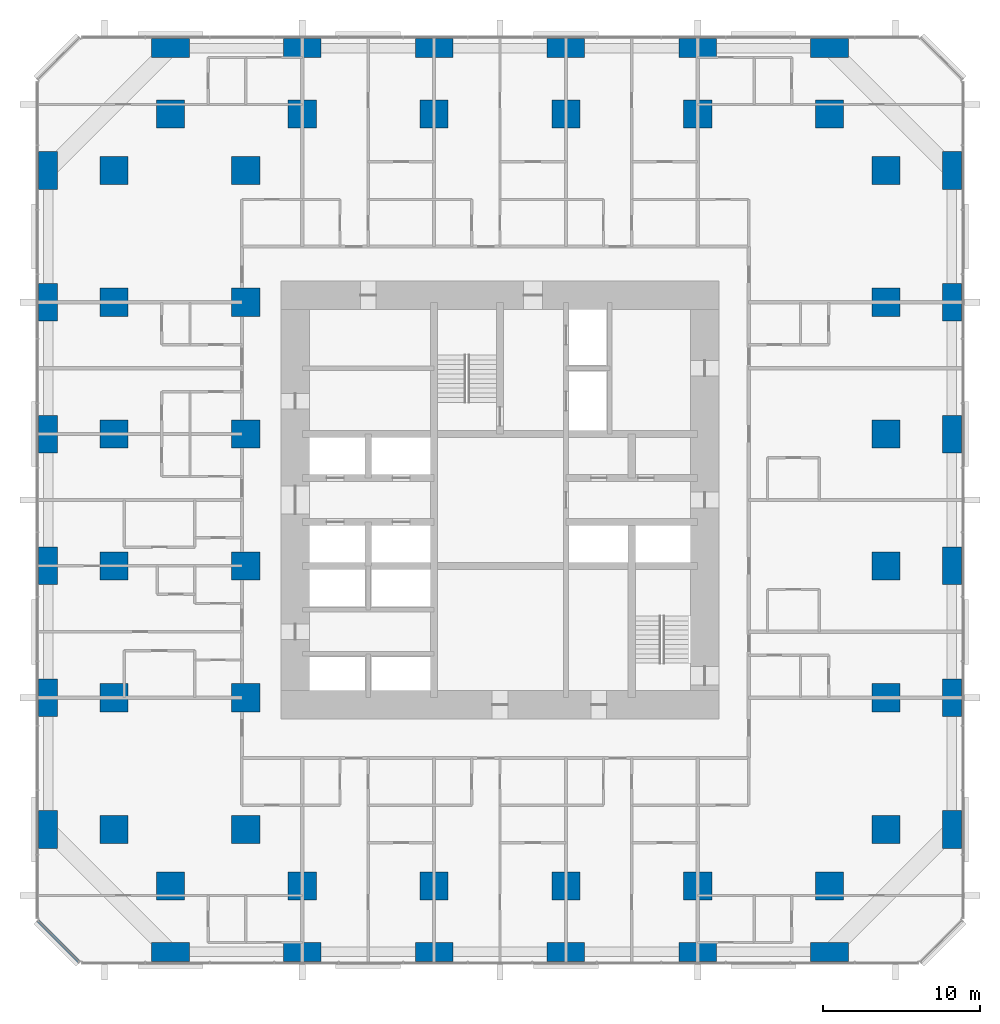
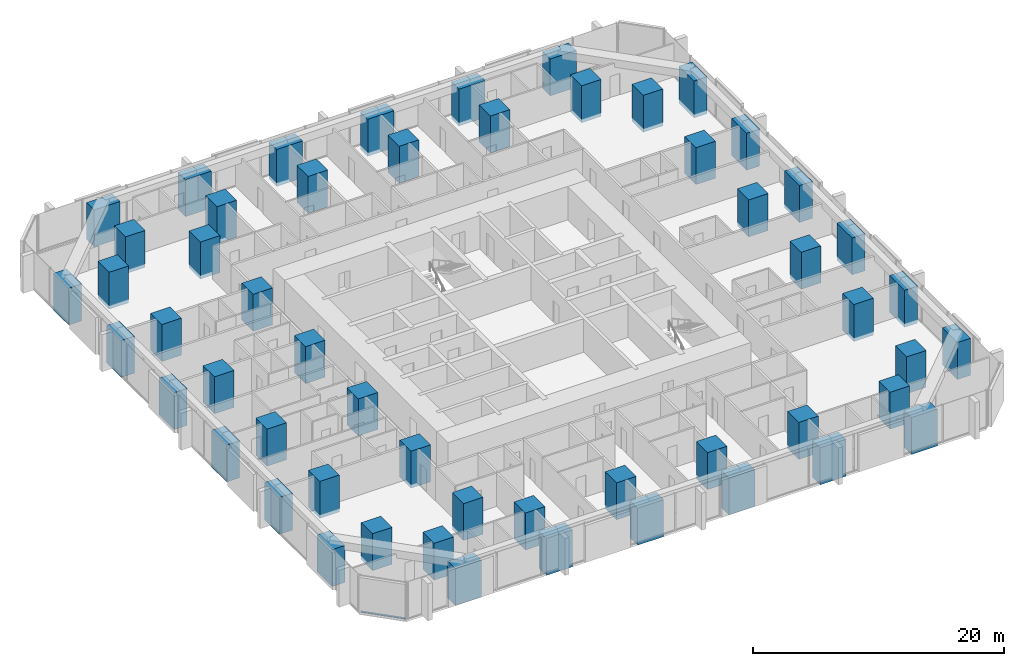
# One storey, part 1 of 17: 54 columns, 1 member, 1 element without a shape of its own.
"""IFC4 building model written with IfcOpenShell, lengths in metres."""

from ifc_helpers import new_model, si_unit, direction, frame, origin, origin_2d, place, context, subcontext, project, spatial, rectangle, extrude, material, material_profile, profile_set, type_object, element, aggregate, save


model = new_model("IFC4")

# Units and contexts
model_context = context("Model", 3, precision=1e-05, world=origin(), true_north=direction((0.0, 1.0)))
body_context = subcontext(model_context, "Body", "Model", "MODEL_VIEW")
ifc_project = project(units=[si_unit("LENGTHUNIT", "METRE"), si_unit("AREAUNIT", "SQUARE_METRE"), si_unit("VOLUMEUNIT", "CUBIC_METRE"), si_unit("PLANEANGLEUNIT", "RADIAN"), si_unit("MASSUNIT", "GRAM", prefix="KILO")], contexts=[model_context])

# Site, building, storey
site_placement = place(None, origin())
site = spatial("IfcSite", under=ifc_project, at=site_placement, CompositionType="ELEMENT")
building_placement = place(site_placement, origin())
building = spatial("IfcBuilding", under=site, at=building_placement, Name="Dunama Terrace Hotel", CompositionType="ELEMENT")
storey_placement = place(building_placement, frame((0.0, 0.0, 48.60009765625)))
storey = spatial("IfcBuildingStorey", under=building, at=storey_placement, Name="L11", CompositionType="ELEMENT", Elevation=48.60009765625)

# Columns
ifc_material_1 = material(Name="Concrete C60/75", Category="concrete")
ifc_material_profile_1 = material_profile(ifc_material_1, rectangle(XDim=1.199951171875, YDim=2.39990234375, at=origin_2d()), Name="RC 1200x2400")
ifc_profile_set_1 = profile_set([ifc_material_profile_1], Name="Concrete C60/75")
column_type_1 = type_object("IfcColumnType", Name="Column RC 1200x2400", PredefinedType="COLUMN", material=ifc_profile_set_1)
for number, where, z_axis, x_axis, name in (
    (1, (0.60009765625, 8.39990234375, -0.35009765625), (0.0, 0.0, 1.0), (1.0, 0.0, 0.0), "Column L11 +0.6/+8.4"),
    (2, (0.60009765625, 16.800048828125, -0.35009765625), (0.0, 0.0, 1.0), (1.0, 0.0, 0.0), "Column L11 +0.6/+16.8"),
    (3, (0.60009765625, 25.199951171875, -0.35009765625), (0.0, 0.0, 1.0), (1.0, 0.0, 0.0), "Column L11 +0.6/+25.2"),
    (4, (0.60009765625, 33.60009765625, -0.35009765625), (0.0, 0.0, 1.0), (1.0, 0.0, 0.0), "Column L11 +0.6/+33.6"),
    (5, (0.60009765625, 42.0, -0.35009765625), (0.0, 0.0, 1.0), (1.0, 0.0, 0.0), "Column L11 +0.6/+42.0"),
    (6, (0.60009765625, 50.39990234375, -0.35009765625), (0.0, 0.0, 1.0), (1.0, 0.0, 0.0), "Column L11 +0.6/+50.4"),
    (7, (58.199951171875, 8.39990234375, -0.35009765625), (0.0, 0.0, 1.0), (1.0, 0.0, 0.0), "Column L11 +58.2/+8.4"),
    (8, (58.199951171875, 16.800048828125, -0.35009765625), (0.0, 0.0, 1.0), (1.0, 0.0, 0.0), "Column L11 +58.2/+16.8"),
    (9, (58.199951171875, 25.199951171875, -0.35009765625), (0.0, 0.0, 1.0), (1.0, 0.0, 0.0), "Column L11 +58.2/+25.2"),
    (10, (58.199951171875, 33.60009765625, -0.35009765625), (0.0, 0.0, 1.0), (1.0, 0.0, 0.0), "Column L11 +58.2/+33.6"),
    (11, (58.199951171875, 42.0, -0.35009765625), (0.0, 0.0, 1.0), (1.0, 0.0, 0.0), "Column L11 +58.2/+42.0"),
    (12, (58.199951171875, 50.39990234375, -0.35009765625), (0.0, 0.0, 1.0), (1.0, 0.0, 0.0), "Column L11 +58.2/+50.4"),
):
    element("IfcColumn", number, at=place(storey_placement, frame(where, z_axis=z_axis, x_axis=x_axis)), inside=storey, type_object=column_type_1, Name=name, PredefinedType="COLUMN", context=body_context, shape_type="SweptSolid", body=[
        extrude(rectangle(XDim=1.199951171875, YDim=2.39990234375, at=origin_2d()), origin(), (0.0, 0.0, 1.0), 3.60009765625),
    ])
ifc_material_2 = material(Name="Concrete C60/75", Category="concrete")
ifc_material_profile_2 = material_profile(ifc_material_2, rectangle(XDim=1.800048828125, YDim=1.800048828125, at=origin_2d()), Name="RC 1800x1800")
ifc_profile_set_2 = profile_set([ifc_material_profile_2], Name="Concrete C60/75")
column_type_2 = type_object("IfcColumnType", Name="Column RC 1800x1800", PredefinedType="COLUMN", material=ifc_profile_set_2)
for number, where, z_axis, x_axis, name in (
    (13, (4.800048828125, 8.39990234375, -0.35009765625), (0.0, 0.0, 1.0), (1.0, 0.0, 0.0), "Column L11 +4.8/+8.4"),
    (14, (4.800048828125, 16.800048828125, -0.35009765625), (0.0, 0.0, 1.0), (1.0, 0.0, 0.0), "Column L11 +4.8/+16.8"),
    (15, (4.800048828125, 25.199951171875, -0.35009765625), (0.0, 0.0, 1.0), (1.0, 0.0, 0.0), "Column L11 +4.8/+25.2"),
    (16, (4.800048828125, 33.60009765625, -0.35009765625), (0.0, 0.0, 1.0), (1.0, 0.0, 0.0), "Column L11 +4.8/+33.6"),
    (17, (4.800048828125, 42.0, -0.35009765625), (0.0, 0.0, 1.0), (1.0, 0.0, 0.0), "Column L11 +4.8/+42.0"),
    (18, (4.800048828125, 50.39990234375, -0.35009765625), (0.0, 0.0, 1.0), (1.0, 0.0, 0.0), "Column L11 +4.8/+50.4"),
    (19, (8.39990234375, 4.800048828125, -0.35009765625), (0.0, 0.0, 1.0), (1.0, 0.0, 0.0), "Column L11 +8.4/+4.8"),
    (20, (8.39990234375, 54.0, -0.35009765625), (0.0, 0.0, 1.0), (1.0, 0.0, 0.0), "Column L11 +8.4/+54.0"),
    (21, (13.199951171875, 8.39990234375, -0.35009765625), (0.0, 0.0, 1.0), (1.0, 0.0, 0.0), "Column L11 +13.2/+8.4"),
    (22, (13.199951171875, 16.800048828125, -0.35009765625), (0.0, 0.0, 1.0), (1.0, 0.0, 0.0), "Column L11 +13.2/+16.8"),
    (23, (13.199951171875, 25.199951171875, -0.35009765625), (0.0, 0.0, 1.0), (1.0, 0.0, 0.0), "Column L11 +13.2/+25.2"),
    (24, (13.199951171875, 33.60009765625, -0.35009765625), (0.0, 0.0, 1.0), (1.0, 0.0, 0.0), "Column L11 +13.2/+33.6"),
    (25, (13.199951171875, 42.0, -0.35009765625), (0.0, 0.0, 1.0), (1.0, 0.0, 0.0), "Column L11 +13.2/+42.0"),
    (26, (13.199951171875, 50.39990234375, -0.35009765625), (0.0, 0.0, 1.0), (1.0, 0.0, 0.0), "Column L11 +13.2/+50.4"),
    (27, (16.800048828125, 4.800048828125, -0.35009765625), (0.0, 0.0, 1.0), (1.0, 0.0, 0.0), "Column L11 +16.8/+4.8"),
    (28, (16.800048828125, 54.0, -0.35009765625), (0.0, 0.0, 1.0), (1.0, 0.0, 0.0), "Column L11 +16.8/+54.0"),
    (29, (25.199951171875, 4.800048828125, -0.35009765625), (0.0, 0.0, 1.0), (1.0, 0.0, 0.0), "Column L11 +25.2/+4.8"),
    (30, (25.199951171875, 54.0, -0.35009765625), (0.0, 0.0, 1.0), (1.0, 0.0, 0.0), "Column L11 +25.2/+54.0"),
    (31, (33.60009765625, 4.800048828125, -0.35009765625), (0.0, 0.0, 1.0), (1.0, 0.0, 0.0), "Column L11 +33.6/+4.8"),
    (32, (33.60009765625, 54.0, -0.35009765625), (0.0, 0.0, 1.0), (1.0, 0.0, 0.0), "Column L11 +33.6/+54.0"),
    (33, (42.0, 4.800048828125, -0.35009765625), (0.0, 0.0, 1.0), (1.0, 0.0, 0.0), "Column L11 +42.0/+4.8"),
    (34, (42.0, 54.0, -0.35009765625), (0.0, 0.0, 1.0), (1.0, 0.0, 0.0), "Column L11 +42.0/+54.0"),
    (35, (50.39990234375, 4.800048828125, -0.35009765625), (0.0, 0.0, 1.0), (1.0, 0.0, 0.0), "Column L11 +50.4/+4.8"),
    (36, (50.39990234375, 54.0, -0.35009765625), (0.0, 0.0, 1.0), (1.0, 0.0, 0.0), "Column L11 +50.4/+54.0"),
    (37, (54.0, 8.39990234375, -0.35009765625), (0.0, 0.0, 1.0), (1.0, 0.0, 0.0), "Column L11 +54.0/+8.4"),
    (38, (54.0, 16.800048828125, -0.35009765625), (0.0, 0.0, 1.0), (1.0, 0.0, 0.0), "Column L11 +54.0/+16.8"),
    (39, (54.0, 25.199951171875, -0.35009765625), (0.0, 0.0, 1.0), (1.0, 0.0, 0.0), "Column L11 +54.0/+25.2"),
    (40, (54.0, 33.60009765625, -0.35009765625), (0.0, 0.0, 1.0), (1.0, 0.0, 0.0), "Column L11 +54.0/+33.6"),
    (41, (54.0, 42.0, -0.35009765625), (0.0, 0.0, 1.0), (1.0, 0.0, 0.0), "Column L11 +54.0/+42.0"),
    (42, (54.0, 50.39990234375, -0.35009765625), (0.0, 0.0, 1.0), (1.0, 0.0, 0.0), "Column L11 +54.0/+50.4"),
):
    element("IfcColumn", number, at=place(storey_placement, frame(where, z_axis=z_axis, x_axis=x_axis)), inside=storey, type_object=column_type_2, Name=name, PredefinedType="COLUMN", context=body_context, shape_type="SweptSolid", body=[
        extrude(rectangle(XDim=1.800048828125, YDim=1.800048828125, at=origin_2d()), origin(), (0.0, 0.0, 1.0), 3.60009765625),
    ])
ifc_material_3 = material(Name="Concrete C60/75", Category="concrete")
ifc_material_profile_3 = material_profile(ifc_material_3, rectangle(XDim=2.39990234375, YDim=1.199951171875, at=origin_2d()), Name="RC 2400x1200")
ifc_profile_set_3 = profile_set([ifc_material_profile_3], Name="Concrete C60/75")
column_type_3 = type_object("IfcColumnType", Name="Column RC 2400x1200", PredefinedType="COLUMN", material=ifc_profile_set_3)
for number, where, z_axis, x_axis, name in (
    (43, (8.39990234375, 0.60009765625, -0.35009765625), (0.0, 0.0, 1.0), (1.0, 0.0, 0.0), "Column L11 +8.4/+0.6"),
    (44, (8.39990234375, 58.199951171875, -0.35009765625), (0.0, 0.0, 1.0), (1.0, 0.0, 0.0), "Column L11 +8.4/+58.2"),
    (45, (16.800048828125, 0.60009765625, -0.35009765625), (0.0, 0.0, 1.0), (1.0, 0.0, 0.0), "Column L11 +16.8/+0.6"),
    (46, (16.800048828125, 58.199951171875, -0.35009765625), (0.0, 0.0, 1.0), (1.0, 0.0, 0.0), "Column L11 +16.8/+58.2"),
    (47, (25.199951171875, 0.60009765625, -0.35009765625), (0.0, 0.0, 1.0), (1.0, 0.0, 0.0), "Column L11 +25.2/+0.6"),
    (48, (25.199951171875, 58.199951171875, -0.35009765625), (0.0, 0.0, 1.0), (1.0, 0.0, 0.0), "Column L11 +25.2/+58.2"),
    (49, (33.60009765625, 0.60009765625, -0.35009765625), (0.0, 0.0, 1.0), (1.0, 0.0, 0.0), "Column L11 +33.6/+0.6"),
    (50, (33.60009765625, 58.199951171875, -0.35009765625), (0.0, 0.0, 1.0), (1.0, 0.0, 0.0), "Column L11 +33.6/+58.2"),
    (51, (42.0, 0.60009765625, -0.35009765625), (0.0, 0.0, 1.0), (1.0, 0.0, 0.0), "Column L11 +42.0/+0.6"),
    (52, (42.0, 58.199951171875, -0.35009765625), (0.0, 0.0, 1.0), (1.0, 0.0, 0.0), "Column L11 +42.0/+58.2"),
    (53, (50.39990234375, 0.60009765625, -0.35009765625), (0.0, 0.0, 1.0), (1.0, 0.0, 0.0), "Column L11 +50.4/+0.6"),
    (54, (50.39990234375, 58.199951171875, -0.35009765625), (0.0, 0.0, 1.0), (1.0, 0.0, 0.0), "Column L11 +50.4/+58.2"),
):
    element("IfcColumn", number, at=place(storey_placement, frame(where, z_axis=z_axis, x_axis=x_axis)), inside=storey, type_object=column_type_3, Name=name, PredefinedType="COLUMN", context=body_context, shape_type="SweptSolid", body=[
        extrude(rectangle(XDim=2.39990234375, YDim=1.199951171875, at=origin_2d()), origin(), (0.0, 0.0, 1.0), 3.60009765625),
    ])

# Curtain wall, member
ifc_material_4 = material(Name="Aluminium curtain wall system", Category="aluminium")
curtain_wall_type = type_object("IfcCurtainWallType", Name="Unitised fritted glass wall CW-A", PredefinedType="NOTDEFINED", material=ifc_material_4)
curtain_wall_placement = place(storey_placement, origin())
curtain_wall = element("IfcCurtainWall", 55, at=curtain_wall_placement, inside=storey, type_object=curtain_wall_type, Name="Unitised fritted glass wall CW-A L11", PredefinedType="NOTDEFINED")
ifc_material_5 = material(Name="Aluminium transom", Category="aluminium")
ifc_material_profile_4 = material_profile(ifc_material_5, rectangle(XDim=0.179931640625, YDim=0.074951171875, at=origin_2d()), Name="CWA TRANSOM 180X75")
ifc_profile_set_4 = profile_set([ifc_material_profile_4], Name="Aluminium transom")
member_type = type_object("IfcMemberType", Name="CWA transom 180x75", PredefinedType="USERDEFINED", material=ifc_profile_set_4)
member_placement = place(storey_placement, frame((-0.02490234375, 2.5830078125, 0.037353515625), z_axis=(0.707106781187, -0.707106781187, 0.0), x_axis=(0.707106781187, 0.707106781187, 0.0)))
member = element("IfcMember", 56, at=member_placement, type_object=member_type, Name="CWA transom", ObjectType="TRANSOM", PredefinedType="USERDEFINED", context=body_context, shape_type="SweptSolid", body=[
    extrude(rectangle(XDim=0.179931640625, YDim=0.074951171875, at=origin_2d()), origin(), (0.0, 0.0, 1.0), 3.688232421875),
])
aggregate(curtain_wall, [member])

save(model, "model.ifc")
